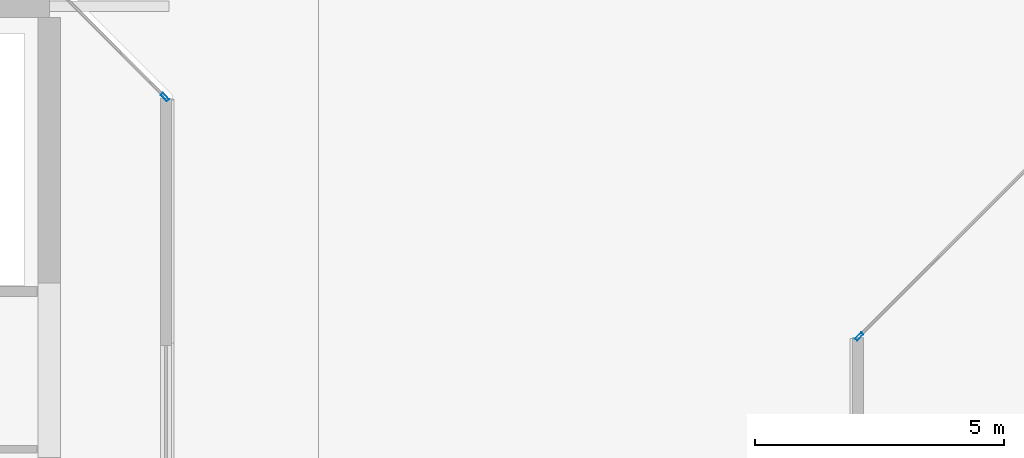
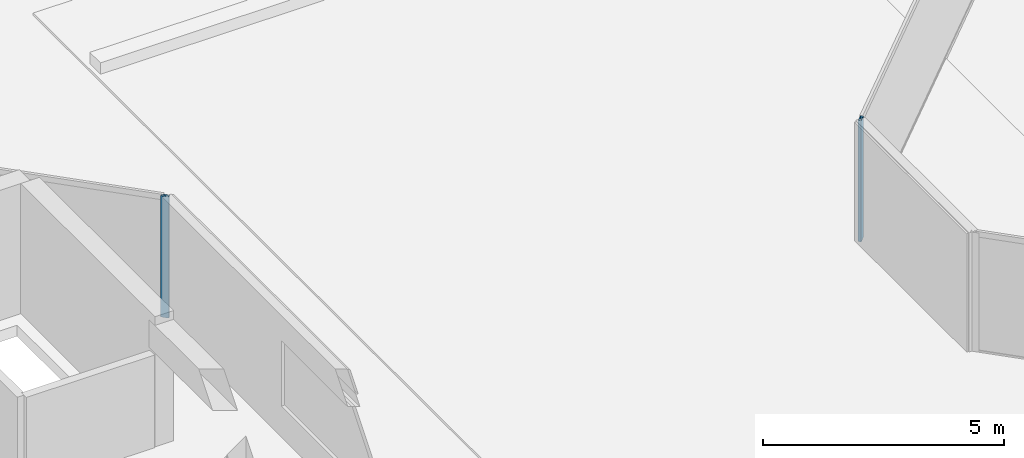
# One storey, part 8 of 30: 2 members, 2 elements without a shape of their own.
"""IFC4 building model written with IfcOpenShell, lengths in metres."""

from ifc_helpers import new_model, si_unit, direction, frame, origin, origin_2d, place, context, subcontext, project, spatial, hollow_rectangle, extrude, material, layer, layer_set, material_profile, profile_set, type_object, element, aggregate, save


model = new_model("IFC4")

# Units and contexts
model_context = context("Model", 3, precision=1e-05, world=origin(), true_north=direction((0.0, 1.0)))
body_context = subcontext(model_context, "Body", "Model", "MODEL_VIEW")
ifc_project = project(units=[si_unit("LENGTHUNIT", "METRE"), si_unit("AREAUNIT", "SQUARE_METRE"), si_unit("VOLUMEUNIT", "CUBIC_METRE"), si_unit("PLANEANGLEUNIT", "RADIAN"), si_unit("MASSUNIT", "GRAM", prefix="KILO")], contexts=[model_context])

# Site, building, storey
site_placement = place(None, origin())
site = spatial("IfcSite", under=ifc_project, at=site_placement, CompositionType="ELEMENT")
building_placement = place(site_placement, origin())
building = spatial("IfcBuilding", under=site, at=building_placement, Name="Tanjung Sevakor Pilgrim Tower", CompositionType="ELEMENT")
storey_placement = place(building_placement, frame((0.0, 0.0, 229.35009765625)))
storey = spatial("IfcBuildingStorey", under=building, at=storey_placement, Name="L64", CompositionType="ELEMENT", Elevation=229.35009765625)

# Curtain wall, member
ifc_material_1 = material(Name="Aluminium 6063-T6 and Low-E Glass", Category="aluminium")
ifc_layer = layer(ifc_material_1, 0.179931640625)
ifc_layer_set = layer_set([ifc_layer], Name="CW-SYS-CHAM")
curtain_wall_type = type_object("IfcCurtainWallType", Name="CW-SYS-CHAM", PredefinedType="NOTDEFINED", material=ifc_layer_set)
curtain_wall_1_placement = place(storey_placement, origin())
curtain_wall_1 = element("IfcCurtainWall", 1, at=curtain_wall_1_placement, inside=storey, type_object=curtain_wall_type, Name="L64 Curtain Wall CW-CHM-L64-WEST-3", PredefinedType="NOTDEFINED")
ifc_material_2 = material(Name="Aluminium 6063-T6", Category="aluminium")
ifc_material_profile = material_profile(ifc_material_2, hollow_rectangle(XDim=0.06494140625, YDim=0.179931640625, WallThickness=0.00390625, at=origin_2d()))
ifc_profile_set = profile_set([ifc_material_profile], Name="Aluminium 6063-T6")
member_type = type_object("IfcMemberType", Name="TYPE-CWM-1", PredefinedType="MULLION", material=ifc_profile_set)
member_1_placement = place(storey_placement, frame((38.317138671875, 40.77734375, 0.0), z_axis=(0.0, 0.0, 1.0), x_axis=(-0.707106781187, -0.707106781187, 0.0)))
member_1 = element("IfcMember", 2, at=member_1_placement, type_object=member_type, Name="CW-CHM mullion 1", PredefinedType="MULLION", context=body_context, shape_type="SweptSolid", body=[
    extrude(hollow_rectangle(XDim=0.06494140625, YDim=0.179931640625, WallThickness=0.00390625, at=origin_2d()), origin(), (0.0, 0.0, 1.0), 3.079833984375),
])
aggregate(curtain_wall_1, [member_1])

curtain_wall_2_placement = place(storey_placement, origin())
curtain_wall_2 = element("IfcCurtainWall", 3, at=curtain_wall_2_placement, inside=storey, type_object=curtain_wall_type, Name="L64 Curtain Wall CW-CHM-L64-EAST-5", PredefinedType="NOTDEFINED")
member_2_placement = place(storey_placement, frame((52.23291015625, 35.977294921875, 0.0), z_axis=(0.0, 0.0, 1.0), x_axis=(0.707106781187, -0.707106781187, 0.0)))
member_2 = element("IfcMember", 4, at=member_2_placement, type_object=member_type, Name="CW-CHM mullion 2", PredefinedType="MULLION", context=body_context, shape_type="SweptSolid", body=[
    extrude(hollow_rectangle(XDim=0.06494140625, YDim=0.179931640625, WallThickness=0.00390625, at=origin_2d()), origin(), (0.0, 0.0, 1.0), 3.079833984375),
])
aggregate(curtain_wall_2, [member_2])

save(model, "model.ifc")
